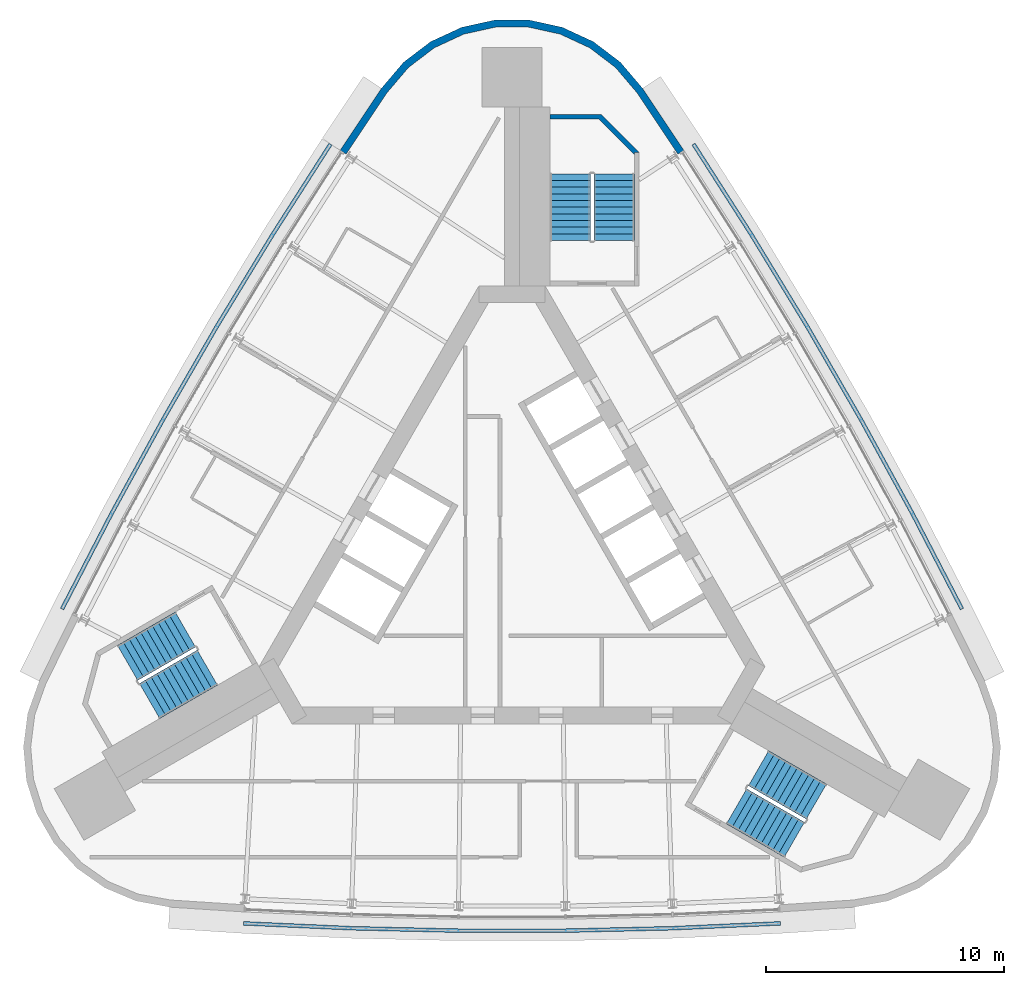
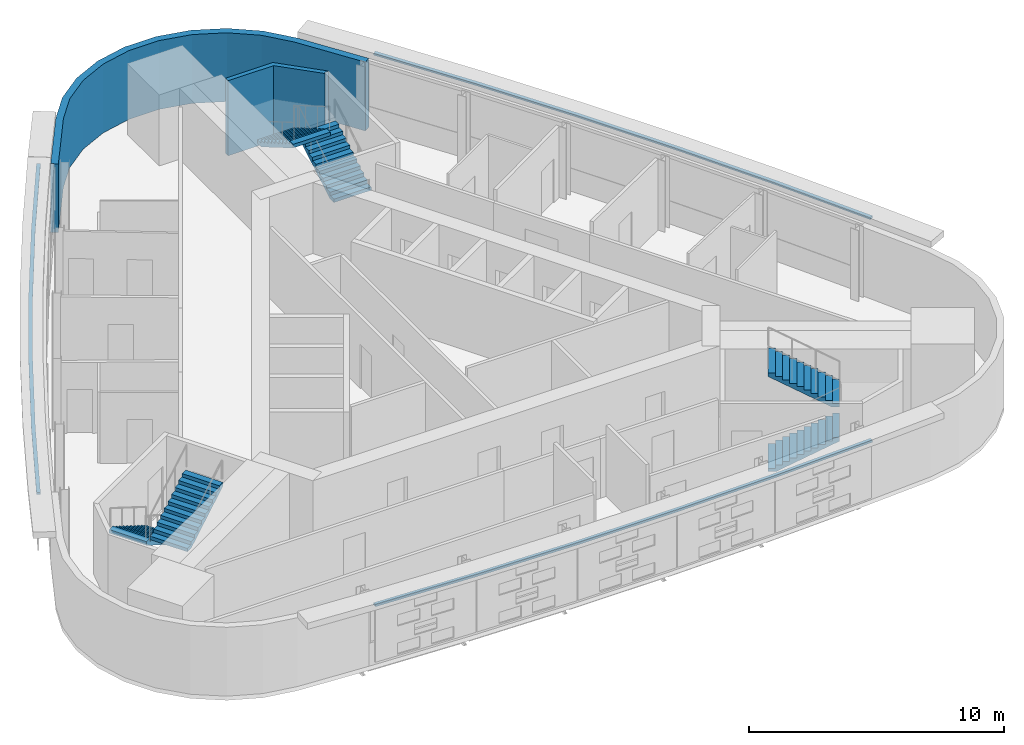
# One storey, part 8 of 9: 6 stair flights, 3 discrete accessories, 2 walls, 3 elements without a shape of their own.
"""IFC4 building model written with IfcOpenShell, lengths in metres."""

from ifc_helpers import new_model, si_unit, direction, frame, origin, place, context, subcontext, project, spatial, polyline, outline, extrude, material, layer, layer_set, type_object, element, aggregate, save


model = new_model("IFC4")

# Units and contexts
model_context = context("Model", 3, precision=1e-05, world=origin(), true_north=direction((0.0, 1.0)))
body_context = subcontext(model_context, "Body", "Model", "MODEL_VIEW")
ifc_project = project(units=[si_unit("LENGTHUNIT", "METRE"), si_unit("AREAUNIT", "SQUARE_METRE"), si_unit("VOLUMEUNIT", "CUBIC_METRE"), si_unit("PLANEANGLEUNIT", "RADIAN"), si_unit("MASSUNIT", "GRAM", prefix="KILO")], contexts=[model_context])

# Site, building, storey
site_placement = place(None, origin())
site = spatial("IfcSite", under=ifc_project, at=site_placement, CompositionType="ELEMENT")
building_placement = place(site_placement, origin())
building = spatial("IfcBuilding", under=site, at=building_placement, Name="Noor Cloister Tower", CompositionType="ELEMENT")
storey_placement = place(building_placement, frame((0.0, 0.0, 232.800048828125)))
storey = spatial("IfcBuildingStorey", under=building, at=storey_placement, Name="L60", CompositionType="ELEMENT", Elevation=232.800048828125)

# Walls
ifc_material_1 = material(Name="Limestone", Category="masonry")
ifc_layer = layer(ifc_material_1, 0.300048828125)
ifc_layer_set = layer_set([ifc_layer], Name="Limestone cladding 300")
wall_type_1 = type_object("IfcWallType", Name="Limestone cladding 300", PredefinedType="NOTDEFINED", material=ifc_layer_set)
wall_1_placement = place(storey_placement, origin())
element("IfcWall", 1, at=wall_1_placement, inside=storey, type_object=wall_type_1, Name="Limestone pier cladding L60 3.1", PredefinedType="NOTDEFINED", context=body_context, shape_type="SweptSolid", body=[
    extrude(outline(polyline([(7.212646484375, 17.147705078125), (5.47802734375, 19.7490234375), (4.55126953125, 20.839599609375), (3.412109375, 21.70556640625), (2.113037109375, 22.306396484375), (0.715576171875, 22.614013671875), (-0.715576171875, 22.614013671875), (-2.113037109375, 22.306396484375), (-3.412109375, 21.70556640625), (-4.55126953125, 20.839599609375), (-5.47802734375, 19.7490234375), (-7.212646484375, 17.147705078125), (-6.962890625, 16.981201171875), (-5.238037109375, 19.568115234375), (-4.34375, 20.62060546875), (-3.25634765625, 21.447021484375), (-2.016845703125, 22.0205078125), (-0.682861328125, 22.31396484375), (0.682861328125, 22.31396484375), (2.016845703125, 22.0205078125), (3.25634765625, 21.447021484375), (4.34375, 20.62060546875), (5.238037109375, 19.568115234375), (6.962890625, 16.981201171875), (7.212646484375, 17.147705078125)])), origin(), (0.0, 0.0, 1.0), 3.300048828125),
])
ifc_material_2 = material(Name="Concrete C60/75", Category="concrete")
wall_type_2 = type_object("IfcWallType", Name="Stair far end wall C60/75", PredefinedType="SHEAR", material=ifc_material_2)
wall_2_placement = place(storey_placement, frame((0.0, 0.0, -0.199951171875)))
element("IfcWall", 2, at=wall_2_placement, inside=storey, type_object=wall_type_2, Name="Stair enclosure wall ST1 L60 far end", PredefinedType="SHEAR", context=body_context, shape_type="SweptSolid", body=[
    extrude(outline(polyline([(5.335693359375, 17.056396484375), (3.735595703125, 18.656494140625), (1.585693359375, 18.656494140625), (1.585693359375, 18.456298828125), (3.65283203125, 18.456298828125), (5.135498046875, 16.9736328125), (5.135498046875, 17.056396484375), (5.135498046875, 17.056396484375), (5.135498046875, 17.056396484375), (5.135498046875, 17.056396484375), (5.135498046875, 17.056396484375), (5.135498046875, 17.056396484375), (5.135498046875, 17.056396484375), (5.135498046875, 17.056396484375), (5.135498046875, 17.056396484375), (5.135498046875, 17.056396484375), (5.135498046875, 17.056396484375), (5.135498046875, 17.056396484375), (5.135498046875, 17.056396484375), (5.135498046875, 17.056396484375), (5.135498046875, 17.056396484375), (5.135498046875, 17.056396484375), (5.135498046875, 17.056396484375), (5.335693359375, 17.056396484375)])), origin(), (0.0, 0.0, 1.0), 3.599853515625),
])

# Stair, stair flights
ifc_material_3 = material(Name="Concrete C40/50", Category="concrete")
stair_type = type_object("IfcStairType", Name="Exit stair 22 risers", PredefinedType="HALF_TURN_STAIR", material=ifc_material_3)
stair_1_placement = place(storey_placement, origin())
stair_1 = element("IfcStair", 3, at=stair_1_placement, inside=storey, type_object=stair_type, Name="Exit stair ST1 L60", PredefinedType="HALF_TURN_STAIR")
ifc_material_4 = material(Name="Concrete C40/50", Category="concrete")
stair_flight_type = type_object("IfcStairFlightType", Name="Exit stair flight", PredefinedType="STRAIGHT", material=ifc_material_4)
stair_flight_1_placement = place(storey_placement, frame((4.28564453125, 13.3564453125, 0.0), z_axis=(0.0, 0.0, 1.0), x_axis=(0.0, 1.0, 0.0)))
stair_flight_1 = element("IfcStairFlight", 4, at=stair_flight_1_placement, type_object=stair_flight_type, Name="ST1 flight 1", NumberOfRisers=11, NumberOfTreads=10, PredefinedType="STRAIGHT", RiserHeight=0.163636364, TreadLength=0.28, context=body_context, shape_type="SweptSolid", body=[
    extrude(outline(polyline([(0.0, 0.0), (0.0, 0.16357421875), (0.280029296875, 0.16357421875), (0.280029296875, 0.327392578125), (0.56005859375, 0.327392578125), (0.56005859375, 0.490966796875), (0.840087890625, 0.490966796875), (0.840087890625, 0.654541015625), (1.1201171875, 0.654541015625), (1.1201171875, 0.818115234375), (1.39990234375, 0.818115234375), (1.39990234375, 0.98193359375), (1.679931640625, 0.98193359375), (1.679931640625, 1.1455078125), (1.9599609375, 1.1455078125), (1.9599609375, 1.30908203125), (2.239990234375, 1.30908203125), (2.239990234375, 1.47265625), (2.52001953125, 1.47265625), (2.52001953125, 1.636474609375), (2.800048828125, 1.636474609375), (2.800048828125, 1.800048828125), (2.800048828125, 1.462646484375), (0.297119140625, 0.0), (0.0, 0.0)])), frame((0.0, 0.85009765625, 0.0), z_axis=(0.0, -1.0, 0.0), x_axis=(1.0, 0.0, 0.0)), (0.0, 0.0, 1.0), 1.699951171875),
])
stair_flight_2_placement = place(storey_placement, frame((2.435546875, 16.156494140625, 1.800048828125), z_axis=(0.0, 0.0, 1.0), x_axis=(0.0, -1.0, 0.0)))
stair_flight_2 = element("IfcStairFlight", 5, at=stair_flight_2_placement, type_object=stair_flight_type, Name="ST1 flight 2", NumberOfRisers=11, NumberOfTreads=10, PredefinedType="STRAIGHT", RiserHeight=0.163636364, TreadLength=0.28, context=body_context, shape_type="SweptSolid", body=[
    extrude(outline(polyline([(0.0, 0.0), (0.0, 0.16357421875), (0.280029296875, 0.16357421875), (0.280029296875, 0.327392578125), (0.56005859375, 0.327392578125), (0.56005859375, 0.490966796875), (0.840087890625, 0.490966796875), (0.840087890625, 0.654541015625), (1.1201171875, 0.654541015625), (1.1201171875, 0.818115234375), (1.39990234375, 0.818115234375), (1.39990234375, 0.98193359375), (1.679931640625, 0.98193359375), (1.679931640625, 1.1455078125), (1.9599609375, 1.1455078125), (1.9599609375, 1.30908203125), (2.239990234375, 1.30908203125), (2.239990234375, 1.47265625), (2.52001953125, 1.47265625), (2.52001953125, 1.636474609375), (2.800048828125, 1.636474609375), (2.800048828125, 1.800048828125), (2.800048828125, 1.462646484375), (0.297119140625, 0.0), (0.0, 0.0)])), frame((0.0, 0.85009765625, 0.0), z_axis=(0.0, -1.0, 0.0), x_axis=(1.0, 0.0, 0.0)), (0.0, 0.0, 1.0), 1.699951171875),
])
aggregate(stair_1, [stair_flight_1, stair_flight_2])

stair_2_placement = place(storey_placement, origin())
stair_2 = element("IfcStair", 6, at=stair_2_placement, inside=storey, type_object=stair_type, Name="Exit stair ST2 L60", PredefinedType="HALF_TURN_STAIR")
stair_flight_3_placement = place(storey_placement, frame((-13.709716796875, -2.966796875, 0.0), z_axis=(0.0, 0.0, 1.0), x_axis=(-0.866025403784, -0.5, 0.0)))
stair_flight_3 = element("IfcStairFlight", 7, at=stair_flight_3_placement, type_object=stair_flight_type, Name="ST2 flight 1", NumberOfRisers=11, NumberOfTreads=10, PredefinedType="STRAIGHT", RiserHeight=0.163636364, TreadLength=0.28, context=body_context, shape_type="SweptSolid", body=[
    extrude(outline(polyline([(0.0, 0.0), (0.0, 0.16357421875), (0.280029296875, 0.16357421875), (0.280029296875, 0.327392578125), (0.56005859375, 0.327392578125), (0.56005859375, 0.490966796875), (0.840087890625, 0.490966796875), (0.840087890625, 0.654541015625), (1.1201171875, 0.654541015625), (1.1201171875, 0.818115234375), (1.39990234375, 0.818115234375), (1.39990234375, 0.98193359375), (1.679931640625, 0.98193359375), (1.679931640625, 1.1455078125), (1.9599609375, 1.1455078125), (1.9599609375, 1.30908203125), (2.239990234375, 1.30908203125), (2.239990234375, 1.47265625), (2.52001953125, 1.47265625), (2.52001953125, 1.636474609375), (2.800048828125, 1.636474609375), (2.800048828125, 1.800048828125), (2.800048828125, 1.462646484375), (0.297119140625, 0.0), (0.0, 0.0)])), frame((0.0, 0.85009765625, 0.0), z_axis=(0.0, -1.0, 0.0), x_axis=(1.0, 0.0, 0.0)), (0.0, 0.0, 1.0), 1.699951171875),
])
stair_flight_4_placement = place(storey_placement, frame((-15.209716796875, -5.968994140625, 1.800048828125), z_axis=(0.0, 0.0, 1.0), x_axis=(0.866025403784, 0.5, 0.0)))
stair_flight_4 = element("IfcStairFlight", 8, at=stair_flight_4_placement, type_object=stair_flight_type, Name="ST2 flight 2", NumberOfRisers=11, NumberOfTreads=10, PredefinedType="STRAIGHT", RiserHeight=0.163636364, TreadLength=0.28, context=body_context, shape_type="SweptSolid", body=[
    extrude(outline(polyline([(0.0, 0.0), (0.0, 0.16357421875), (0.280029296875, 0.16357421875), (0.280029296875, 0.327392578125), (0.56005859375, 0.327392578125), (0.56005859375, 0.490966796875), (0.840087890625, 0.490966796875), (0.840087890625, 0.654541015625), (1.1201171875, 0.654541015625), (1.1201171875, 0.818115234375), (1.39990234375, 0.818115234375), (1.39990234375, 0.98193359375), (1.679931640625, 0.98193359375), (1.679931640625, 1.1455078125), (1.9599609375, 1.1455078125), (1.9599609375, 1.30908203125), (2.239990234375, 1.30908203125), (2.239990234375, 1.47265625), (2.52001953125, 1.47265625), (2.52001953125, 1.636474609375), (2.800048828125, 1.636474609375), (2.800048828125, 1.800048828125), (2.800048828125, 1.462646484375), (0.297119140625, 0.0), (0.0, 0.0)])), frame((0.0, 0.85009765625, 0.0), z_axis=(0.0, -1.0, 0.0), x_axis=(1.0, 0.0, 0.0)), (0.0, 0.0, 1.0), 1.699951171875),
])
aggregate(stair_2, [stair_flight_3, stair_flight_4])

stair_3_placement = place(storey_placement, origin())
stair_3 = element("IfcStair", 9, at=stair_3_placement, inside=storey, type_object=stair_type, Name="Exit stair ST3 L60", PredefinedType="HALF_TURN_STAIR")
stair_flight_5_placement = place(storey_placement, frame((9.424072265625, -10.3896484375, 0.0), z_axis=(0.0, 0.0, 1.0), x_axis=(0.866025403784, -0.5, 0.0)))
stair_flight_5 = element("IfcStairFlight", 10, at=stair_flight_5_placement, type_object=stair_flight_type, Name="ST3 flight 1", NumberOfRisers=11, NumberOfTreads=10, PredefinedType="STRAIGHT", RiserHeight=0.163636364, TreadLength=0.28, context=body_context, shape_type="SweptSolid", body=[
    extrude(outline(polyline([(0.0, 0.0), (0.0, 0.16357421875), (0.280029296875, 0.16357421875), (0.280029296875, 0.327392578125), (0.56005859375, 0.327392578125), (0.56005859375, 0.490966796875), (0.840087890625, 0.490966796875), (0.840087890625, 0.654541015625), (1.1201171875, 0.654541015625), (1.1201171875, 0.818115234375), (1.39990234375, 0.818115234375), (1.39990234375, 0.98193359375), (1.679931640625, 0.98193359375), (1.679931640625, 1.1455078125), (1.9599609375, 1.1455078125), (1.9599609375, 1.30908203125), (2.239990234375, 1.30908203125), (2.239990234375, 1.47265625), (2.52001953125, 1.47265625), (2.52001953125, 1.636474609375), (2.800048828125, 1.636474609375), (2.800048828125, 1.800048828125), (2.800048828125, 1.462646484375), (0.297119140625, 0.0), (0.0, 0.0)])), frame((0.0, 0.85009765625, 0.0), z_axis=(0.0, -1.0, 0.0), x_axis=(1.0, 0.0, 0.0)), (0.0, 0.0, 1.0), 1.699951171875),
])
stair_flight_6_placement = place(storey_placement, frame((12.77392578125, -10.1875, 1.800048828125), z_axis=(0.0, 0.0, 1.0), x_axis=(-0.866025403784, 0.5, 0.0)))
stair_flight_6 = element("IfcStairFlight", 11, at=stair_flight_6_placement, type_object=stair_flight_type, Name="ST3 flight 2", NumberOfRisers=11, NumberOfTreads=10, PredefinedType="STRAIGHT", RiserHeight=0.163636364, TreadLength=0.28, context=body_context, shape_type="SweptSolid", body=[
    extrude(outline(polyline([(0.0, 0.0), (0.0, 0.16357421875), (0.280029296875, 0.16357421875), (0.280029296875, 0.327392578125), (0.56005859375, 0.327392578125), (0.56005859375, 0.490966796875), (0.840087890625, 0.490966796875), (0.840087890625, 0.654541015625), (1.1201171875, 0.654541015625), (1.1201171875, 0.818115234375), (1.39990234375, 0.818115234375), (1.39990234375, 0.98193359375), (1.679931640625, 0.98193359375), (1.679931640625, 1.1455078125), (1.9599609375, 1.1455078125), (1.9599609375, 1.30908203125), (2.239990234375, 1.30908203125), (2.239990234375, 1.47265625), (2.52001953125, 1.47265625), (2.52001953125, 1.636474609375), (2.800048828125, 1.636474609375), (2.800048828125, 1.800048828125), (2.800048828125, 1.462646484375), (0.297119140625, 0.0), (0.0, 0.0)])), frame((0.0, 0.85009765625, 0.0), z_axis=(0.0, -1.0, 0.0), x_axis=(1.0, 0.0, 0.0)), (0.0, 0.0, 1.0), 1.699951171875),
])
aggregate(stair_3, [stair_flight_5, stair_flight_6])

# Discrete accessories
ifc_material_5 = material(Name="Stainless steel grade 316", Category="steel")
discrete_accessory_type = type_object("IfcDiscreteAccessoryType", Name="Stainless hanger rail", PredefinedType="BRACKET", material=ifc_material_5)
discrete_accessory_1_placement = place(storey_placement, frame((0.0, 0.0, 3.199951171875)))
element("IfcDiscreteAccessory", 12, at=discrete_accessory_1_placement, inside=storey, type_object=discrete_accessory_type, Name="Hanger rail L60", PredefinedType="BRACKET", context=body_context, shape_type="SweptSolid", body=[
    extrude(outline(polyline([(-7.684326171875, 17.44921875), (-10.11181640625, 13.65283203125), (-12.4560546875, 9.796875), (-14.71240234375, 5.888916015625), (-16.879638671875, 1.9306640625), (-18.95361328125, -2.06982421875), (-18.811767578125, -2.1435546875), (-16.738525390625, 1.85546875), (-14.572998046875, 5.810546875), (-12.318359375, 9.71533203125), (-9.97607421875, 13.568115234375), (-7.549560546875, 17.363037109375), (-7.684326171875, 17.44921875)])), origin(), (0.0, 0.0, 1.0), 0.10009765625),
])
discrete_accessory_2_placement = place(storey_placement, frame((0.0, 0.0, 3.199951171875)))
element("IfcDiscreteAccessory", 13, at=discrete_accessory_2_placement, inside=storey, type_object=discrete_accessory_type, Name="Hanger rail L60", PredefinedType="BRACKET", context=body_context, shape_type="SweptSolid", body=[
    extrude(outline(polyline([(-11.269287109375, -15.37939453125), (-6.767822265625, -15.58349609375), (-2.25634765625, -15.685791015625), (2.25634765625, -15.685791015625), (6.767822265625, -15.58349609375), (11.269287109375, -15.37939453125), (11.26220703125, -15.2197265625), (6.76220703125, -15.423583984375), (2.25439453125, -15.52587890625), (-2.25439453125, -15.52587890625), (-6.76220703125, -15.423583984375), (-11.26220703125, -15.2197265625), (-11.269287109375, -15.37939453125)])), origin(), (0.0, 0.0, 1.0), 0.10009765625),
])
discrete_accessory_3_placement = place(storey_placement, frame((0.0, 0.0, 3.199951171875)))
element("IfcDiscreteAccessory", 14, at=discrete_accessory_3_placement, inside=storey, type_object=discrete_accessory_type, Name="Hanger rail L60", PredefinedType="BRACKET", context=body_context, shape_type="SweptSolid", body=[
    extrude(outline(polyline([(18.95361328125, -2.06982421875), (16.879638671875, 1.9306640625), (14.71240234375, 5.888916015625), (12.4560546875, 9.796875), (10.11181640625, 13.65283203125), (7.684326171875, 17.44921875), (7.549560546875, 17.363037109375), (9.97607421875, 13.568115234375), (12.318359375, 9.71533203125), (14.572998046875, 5.810546875), (16.738525390625, 1.85546875), (18.811767578125, -2.1435546875), (18.95361328125, -2.06982421875)])), origin(), (0.0, 0.0, 1.0), 0.10009765625),
])

save(model, "model.ifc")
